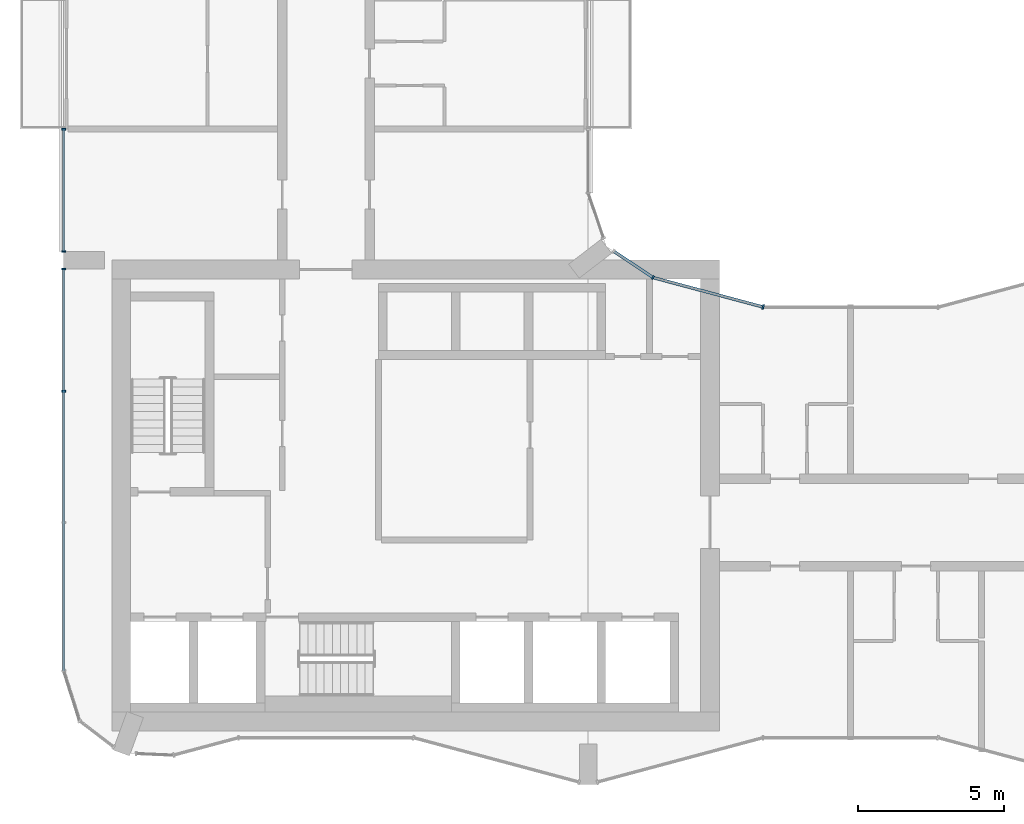
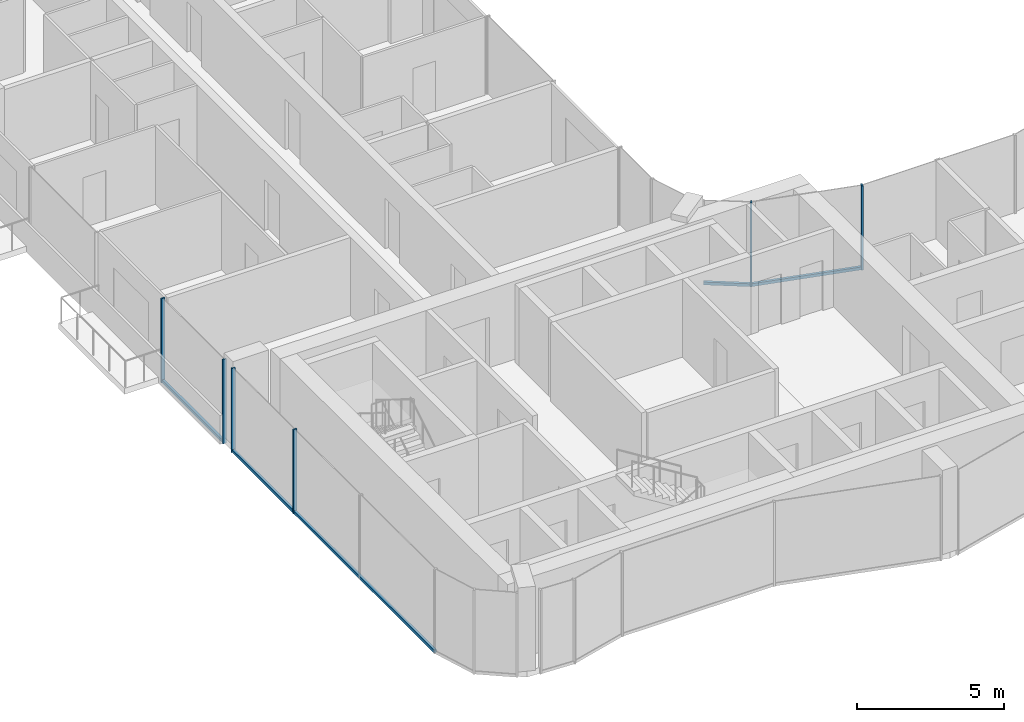
# One storey, part 3 of 22: 10 members, 4 elements without a shape of their own.
"""IFC4 building model written with IfcOpenShell, lengths in metres."""

from ifc_helpers import new_model, si_unit, direction, frame, origin, origin_2d, place, context, subcontext, project, spatial, rectangle, extrude, material, layer, layer_set, material_profile, profile_set, type_object, element, aggregate, save


model = new_model("IFC4")

# Units and contexts
model_context = context("Model", 3, precision=1e-05, world=origin(), true_north=direction((0.0, 1.0)))
body_context = subcontext(model_context, "Body", "Model", "MODEL_VIEW")
ifc_project = project(units=[si_unit("LENGTHUNIT", "METRE"), si_unit("AREAUNIT", "SQUARE_METRE"), si_unit("VOLUMEUNIT", "CUBIC_METRE"), si_unit("PLANEANGLEUNIT", "RADIAN"), si_unit("MASSUNIT", "GRAM", prefix="KILO")], contexts=[model_context])

# Site, building, storey
site_placement = place(None, origin())
site = spatial("IfcSite", under=ifc_project, at=site_placement, CompositionType="ELEMENT")
building_placement = place(site_placement, origin())
building = spatial("IfcBuilding", under=site, at=building_placement, Name="Plateau Cross Towers", CompositionType="ELEMENT")
storey_placement = place(building_placement, frame((0.0, 0.0, 116.800048828125)))
storey = spatial("IfcBuildingStorey", under=building, at=storey_placement, Name="L30", CompositionType="ELEMENT", Elevation=116.800048828125)

# Curtain wall, member
ifc_material_1 = material(Name="Dark low-iron glass", Category="glass")
ifc_layer_1 = layer(ifc_material_1, 0.239990234375)
ifc_layer_set_1 = layer_set([ifc_layer_1], Name="Dark low-iron glass")
curtain_wall_type_1 = type_object("IfcCurtainWallType", Name="Curtain wall flush unitised CW-B", PredefinedType="NOTDEFINED", material=ifc_layer_set_1)
curtain_wall_1_placement = place(storey_placement, origin())
curtain_wall_1 = element("IfcCurtainWall", 1, at=curtain_wall_1_placement, inside=storey, type_object=curtain_wall_type_1, Name="ENV/A/L30/A202_174", PredefinedType="NOTDEFINED")
ifc_material_2 = material(Name="Black anodised aluminium", Category="aluminium")
ifc_material_profile_1 = material_profile(ifc_material_2, rectangle(XDim=0.06005859375, YDim=0.139892578125, at=origin_2d()), Name="MULLION 60x140")
ifc_profile_set_1 = profile_set([ifc_material_profile_1], Name="Black anodised aluminium")
member_type_1 = type_object("IfcMemberType", Name="Mullion 60x140 flush unitised", PredefinedType="MULLION", material=ifc_profile_set_1)
member_1_placement = place(storey_placement, frame((20.223876953125, 17.404296875, -0.25), z_axis=(0.0, 0.0, 1.0), x_axis=(-0.831521253329, 0.555492938984, 0.0)))
member_1 = element("IfcMember", 2, at=member_1_placement, type_object=member_type_1, Name="CW-B mullion 1", PredefinedType="MULLION", context=body_context, shape_type="SweptSolid", body=[
    extrude(rectangle(XDim=0.06005859375, YDim=0.139892578125, at=origin_2d()), origin(), (0.0, 0.0, 1.0), 3.5),
])

# Curtain wall, members
curtain_wall_2_placement = place(storey_placement, origin())
curtain_wall_2 = element("IfcCurtainWall", 3, at=curtain_wall_2_placement, inside=storey, type_object=curtain_wall_type_1, Name="ENV/A/L30/A0_225", PredefinedType="NOTDEFINED")
member_2_placement = place(storey_placement, frame((0.0, 22.489990234375, -0.25), z_axis=(0.0, 0.0, 1.0), x_axis=(0.0, -1.0, 0.0)))
member_2 = element("IfcMember", 4, at=member_2_placement, type_object=member_type_1, Name="CW-B mullion 1", PredefinedType="MULLION", context=body_context, shape_type="SweptSolid", body=[
    extrude(rectangle(XDim=0.06005859375, YDim=0.139892578125, at=origin_2d()), origin(), (0.0, 0.0, 1.0), 3.5),
])
member_3_placement = place(storey_placement, frame((0.0, 18.300048828125, -0.25), z_axis=(0.0, 0.0, 1.0), x_axis=(0.0, -1.0, 0.0)))
member_3 = element("IfcMember", 5, at=member_3_placement, type_object=member_type_1, Name="CW-B mullion 2", PredefinedType="MULLION", context=body_context, shape_type="SweptSolid", body=[
    extrude(rectangle(XDim=0.06005859375, YDim=0.139892578125, at=origin_2d()), origin(), (0.0, 0.0, 1.0), 3.5),
])

curtain_wall_3_placement = place(storey_placement, origin())
curtain_wall_3 = element("IfcCurtainWall", 6, at=curtain_wall_3_placement, inside=storey, type_object=curtain_wall_type_1, Name="ENV/A/L30/A0_177", PredefinedType="NOTDEFINED")
member_4_placement = place(storey_placement, frame((0.0, 17.699951171875, -0.25), z_axis=(0.0, 0.0, 1.0), x_axis=(0.0, -1.0, 0.0)))
member_4 = element("IfcMember", 7, at=member_4_placement, type_object=member_type_1, Name="CW-B mullion 1", PredefinedType="MULLION", context=body_context, shape_type="SweptSolid", body=[
    extrude(rectangle(XDim=0.06005859375, YDim=0.139892578125, at=origin_2d()), origin(), (0.0, 0.0, 1.0), 3.5),
])
member_5_placement = place(storey_placement, frame((0.0, 13.5, -0.25), z_axis=(0.0, 0.0, 1.0), x_axis=(0.0, -1.0, 0.0)))
member_5 = element("IfcMember", 8, at=member_5_placement, type_object=member_type_1, Name="CW-B mullion 2", PredefinedType="MULLION", context=body_context, shape_type="SweptSolid", body=[
    extrude(rectangle(XDim=0.06005859375, YDim=0.139892578125, at=origin_2d()), origin(), (0.0, 0.0, 1.0), 3.5),
])

# Curtain wall, member
ifc_layer_2 = layer(ifc_material_1, 0.260009765625)
ifc_layer_set_2 = layer_set([ifc_layer_2], Name="Dark low-iron glass")
curtain_wall_type_2 = type_object("IfcCurtainWallType", Name="Curtain wall fluted unitised CW-A", PredefinedType="NOTDEFINED", material=ifc_layer_set_2)
curtain_wall_4_placement = place(storey_placement, origin())
curtain_wall_4 = element("IfcCurtainWall", 9, at=curtain_wall_4_placement, inside=storey, type_object=curtain_wall_type_2, Name="ENV/A/L30/A240_164", PredefinedType="NOTDEFINED")
ifc_material_profile_2 = material_profile(ifc_material_2, rectangle(XDim=0.06005859375, YDim=0.159912109375, at=origin_2d()), Name="MULLION 60x160")
ifc_profile_set_2 = profile_set([ifc_material_profile_2], Name="Black anodised aluminium")
member_type_2 = type_object("IfcMemberType", Name="Mullion 60x160 fluted unitised", PredefinedType="MULLION", material=ifc_profile_set_2)
member_6_placement = place(storey_placement, frame((24.0, 16.39306640625, -0.25), z_axis=(0.0, 0.0, 1.0), x_axis=(-0.965957995816, 0.258698956933, 0.0)))
member_6 = element("IfcMember", 10, at=member_6_placement, type_object=member_type_2, Name="CW-A mullion 1", PredefinedType="MULLION", context=body_context, shape_type="SweptSolid", body=[
    extrude(rectangle(XDim=0.06005859375, YDim=0.159912109375, at=origin_2d()), origin(), (0.0, 0.0, 1.0), 3.5),
])

# Member
ifc_material_profile_3 = material_profile(ifc_material_2, rectangle(XDim=0.10009765625, YDim=0.1201171875, at=origin_2d()), Name="TRANSOM 100x120")
ifc_profile_set_3 = profile_set([ifc_material_profile_3], Name="Black anodised aluminium")
member_type_3 = type_object("IfcMemberType", Name="Transom 100x120 flush unitised", PredefinedType="USERDEFINED", material=ifc_profile_set_3)
member_7_placement = place(storey_placement, frame((20.223876953125, 17.404296875, -0.18994140625), z_axis=(-0.831496402487, 0.555530136582, 0.0), x_axis=(-0.555530136582, -0.831496402487, 0.0)))
member_7 = element("IfcMember", 11, at=member_7_placement, type_object=member_type_3, Name="CW-B transom", ObjectType="TRANSOM", PredefinedType="USERDEFINED", context=body_context, shape_type="SweptSolid", body=[
    extrude(rectangle(XDim=0.10009765625, YDim=0.1201171875, at=origin_2d()), origin(), (0.0, 0.0, 1.0), 1.628662109375),
])

aggregate(curtain_wall_1, [member_1, member_7])

member_8_placement = place(storey_placement, frame((0.0, 22.489990234375, -0.18994140625), z_axis=(0.0, -1.0, 0.0), x_axis=(1.0, 0.0, 0.0)))
member_8 = element("IfcMember", 12, at=member_8_placement, type_object=member_type_3, Name="CW-B transom", ObjectType="TRANSOM", PredefinedType="USERDEFINED", context=body_context, shape_type="SweptSolid", body=[
    extrude(rectangle(XDim=0.10009765625, YDim=0.1201171875, at=origin_2d()), origin(), (0.0, 0.0, 1.0), 4.18994140625),
])

aggregate(curtain_wall_2, [member_2, member_3, member_8])

member_9_placement = place(storey_placement, frame((0.0, 17.699951171875, -0.18994140625), z_axis=(0.0, -1.0, 0.0), x_axis=(1.0, 0.0, 0.0)))
member_9 = element("IfcMember", 13, at=member_9_placement, type_object=member_type_3, Name="CW-B transom", ObjectType="TRANSOM", PredefinedType="USERDEFINED", context=body_context, shape_type="SweptSolid", body=[
    extrude(rectangle(XDim=0.10009765625, YDim=0.1201171875, at=origin_2d()), origin(), (0.0, 0.0, 1.0), 13.790771484375),
])

aggregate(curtain_wall_3, [member_4, member_5, member_9])

ifc_material_profile_4 = material_profile(ifc_material_2, rectangle(XDim=0.10009765625, YDim=0.1201171875, at=origin_2d()), Name="TRANSOM 100x120")
ifc_profile_set_4 = profile_set([ifc_material_profile_4], Name="Black anodised aluminium")
member_type_4 = type_object("IfcMemberType", Name="Transom 100x120 fluted unitised", PredefinedType="USERDEFINED", material=ifc_profile_set_4)
member_10_placement = place(storey_placement, frame((24.0, 16.39306640625, -0.18994140625), z_axis=(-0.965962822393, 0.25868093427, 0.0), x_axis=(-0.25868093427, -0.965962822393, 0.0)))
member_10 = element("IfcMember", 14, at=member_10_placement, type_object=member_type_4, Name="CW-A transom", ObjectType="TRANSOM", PredefinedType="USERDEFINED", context=body_context, shape_type="SweptSolid", body=[
    extrude(rectangle(XDim=0.10009765625, YDim=0.1201171875, at=origin_2d()), origin(), (0.0, 0.0, 1.0), 3.9091796875),
])

aggregate(curtain_wall_4, [member_6, member_10])

save(model, "model.ifc")
